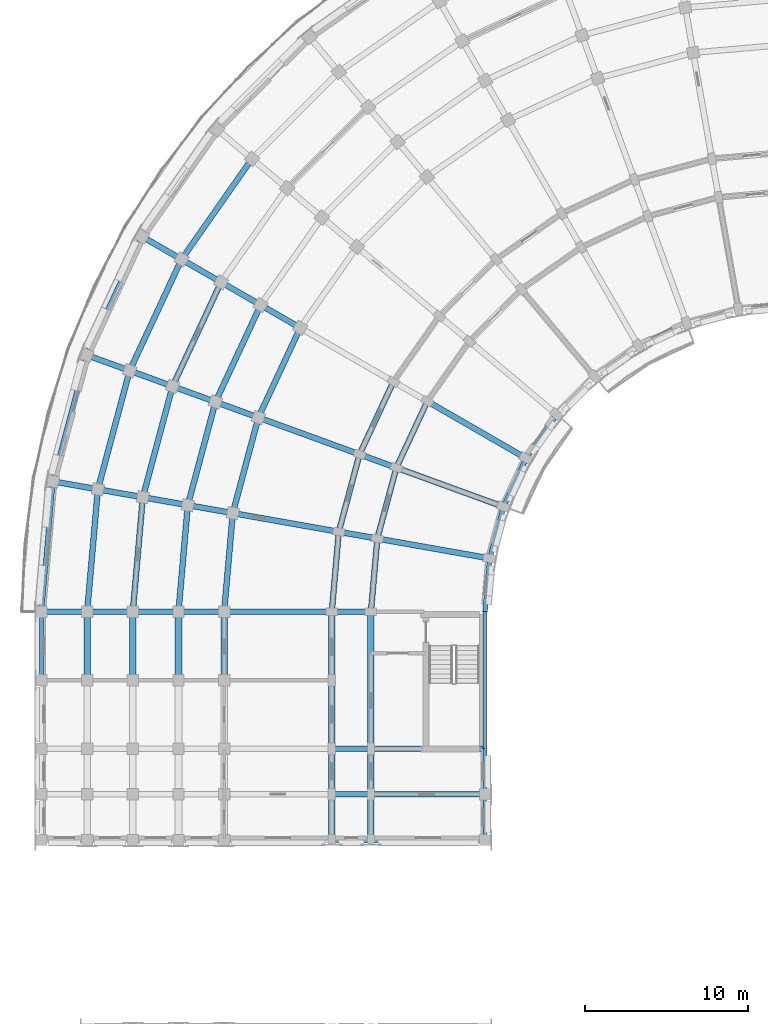
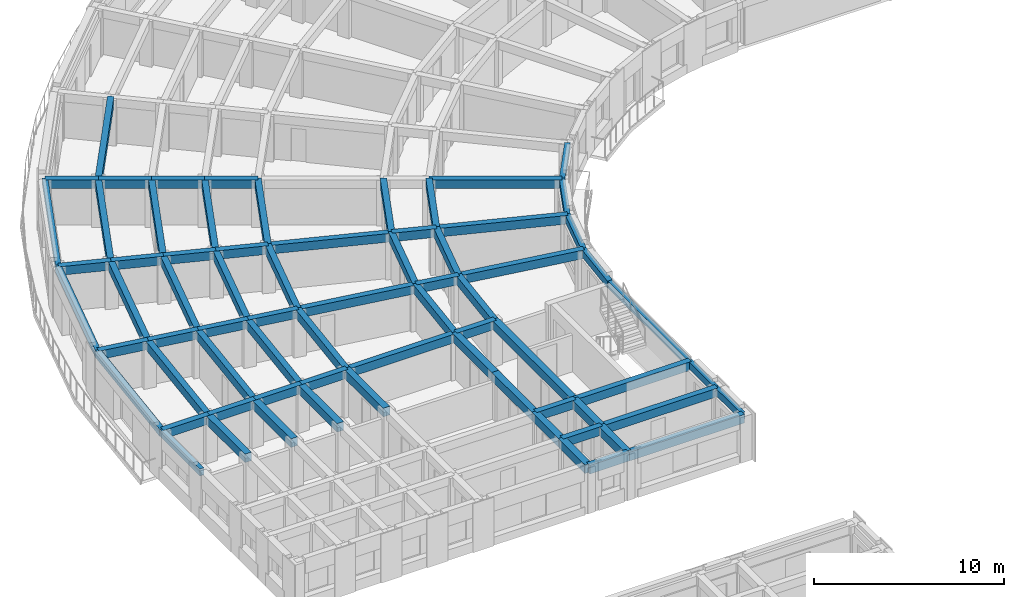
# One storey, part 8 of 57: 72 beams.
"""IFC4 building model written with IfcOpenShell, lengths in metres."""

from ifc_helpers import new_model, si_unit, direction, frame, origin, origin_2d, place, context, subcontext, project, spatial, rectangle, extrude, material, material_profile, profile_set, type_object, element, save


model = new_model("IFC4")

# Units and contexts
model_context = context("Model", 3, precision=1e-05, world=origin(), true_north=direction((0.0, 1.0)))
body_context = subcontext(model_context, "Body", "Model", "MODEL_VIEW")
ifc_project = project(units=[si_unit("LENGTHUNIT", "METRE"), si_unit("AREAUNIT", "SQUARE_METRE"), si_unit("VOLUMEUNIT", "CUBIC_METRE"), si_unit("PLANEANGLEUNIT", "RADIAN"), si_unit("MASSUNIT", "GRAM", prefix="KILO")], contexts=[model_context])

# Site, building, storey
site_placement = place(None, origin())
site = spatial("IfcSite", under=ifc_project, at=site_placement, CompositionType="ELEMENT")
building_placement = place(site_placement, origin())
building = spatial("IfcBuilding", under=site, at=building_placement, Name="Kiranvali Square Residences", CompositionType="ELEMENT")
storey_placement = place(building_placement, frame((0.0, 0.0, 21.300048828125)))
storey = spatial("IfcBuildingStorey", under=building, at=storey_placement, Name="L06", CompositionType="ELEMENT", Elevation=21.300048828125)

# Beams
ifc_material_1 = material(Name="Concrete M40 (40 MPa)", Category="concrete")
ifc_material_profile_1 = material_profile(ifc_material_1, rectangle(XDim=0.35009765625, YDim=0.550048828125, at=origin_2d()), Name="RC 350x550")
ifc_profile_set_1 = profile_set([ifc_material_profile_1], Name="Concrete M40 (40 MPa)")
beam_type_1 = type_object("IfcBeamType", Name="BM-M40-350x550", PredefinedType="BEAM", material=ifc_profile_set_1)
beam_1_placement = place(storey_placement, frame((15.10693359375, 115.568359375, 2.655029296875), z_axis=(-0.573588539275, -0.819143569597, 0.0), x_axis=(0.819143569597, -0.573588539275, 0.0)))
element("IfcBeam", 1, at=beam_1_placement, inside=storey, type_object=beam_type_1, Name="L06 beam BM-A-L06-C05-R6", PredefinedType="BEAM", context=body_context, shape_type="SweptSolid", body=[
    extrude(rectangle(XDim=0.35009765625, YDim=0.550048828125, at=origin_2d()), origin(), (0.0, 0.0, 1.0), 7.5302734375),
])
beam_2_placement = place(storey_placement, frame((25.8564453125, 100.699951171875, 2.655029296875), z_axis=(-0.422617978463, -0.906307919131, 0.0), x_axis=(0.906307919131, -0.422617978463, 0.0)))
element("IfcBeam", 2, at=beam_2_placement, inside=storey, type_object=beam_type_1, Name="L06 beam BM-A-L06-C06-R1", PredefinedType="BEAM", context=body_context, shape_type="SweptSolid", body=[
    extrude(rectangle(XDim=0.35009765625, YDim=0.550048828125, at=origin_2d()), origin(), (0.0, 0.0, 1.0), 4.497314453125),
])
beam_3_placement = place(storey_placement, frame((23.778076171875, 101.89990234375, 2.655029296875), z_axis=(-0.422629854778, -0.906302381024, 0.0), x_axis=(0.906302381024, -0.422629854778, 0.0)))
element("IfcBeam", 3, at=beam_3_placement, inside=storey, type_object=beam_type_1, Name="L06 beam BM-A-L06-C06-R2", PredefinedType="BEAM", context=body_context, shape_type="SweptSolid", body=[
    extrude(rectangle(XDim=0.35009765625, YDim=0.550048828125, at=origin_2d()), origin(), (0.0, 0.0, 1.0), 4.915283203125),
])
beam_4_placement = place(storey_placement, frame((18.062255859375, 105.199951171875, 2.655029296875), z_axis=(-0.42260781991, -0.906312656069, 0.0), x_axis=(0.906312656069, -0.42260781991, 0.0)))
element("IfcBeam", 4, at=beam_4_placement, inside=storey, type_object=beam_type_1, Name="L06 beam BM-A-L06-C06-R3", PredefinedType="BEAM", context=body_context, shape_type="SweptSolid", body=[
    extrude(rectangle(XDim=0.35009765625, YDim=0.550048828125, at=origin_2d()), origin(), (0.0, 0.0, 1.0), 6.06591796875),
])
beam_5_placement = place(storey_placement, frame((15.637451171875, 106.60009765625, 2.655029296875), z_axis=(-0.422595876255, -0.906318225223, 0.0), x_axis=(0.906318225223, -0.422595876255, 0.0)))
element("IfcBeam", 5, at=beam_5_placement, inside=storey, type_object=beam_type_1, Name="L06 beam BM-A-L06-C06-R4", PredefinedType="BEAM", context=body_context, shape_type="SweptSolid", body=[
    extrude(rectangle(XDim=0.35009765625, YDim=0.550048828125, at=origin_2d()), origin(), (0.0, 0.0, 1.0), 6.55419921875),
])
beam_6_placement = place(storey_placement, frame((13.212646484375, 108.0, 2.655029296875), z_axis=(-0.422640621205, -0.906297360311, 0.0), x_axis=(0.906297360311, -0.422640621205, 0.0)))
element("IfcBeam", 6, at=beam_6_placement, inside=storey, type_object=beam_type_1, Name="L06 beam BM-A-L06-C06-R5", PredefinedType="BEAM", context=body_context, shape_type="SweptSolid", body=[
    extrude(rectangle(XDim=0.35009765625, YDim=0.550048828125, at=origin_2d()), origin(), (0.0, 0.0, 1.0), 7.042236328125),
])
beam_7_placement = place(storey_placement, frame((10.78759765625, 109.39990234375, 2.655029296875), z_axis=(-0.422613886933, -0.90630982703, 0.0), x_axis=(0.90630982703, -0.422613886933, 0.0)))
element("IfcBeam", 7, at=beam_7_placement, inside=storey, type_object=beam_type_1, Name="L06 beam BM-A-L06-C06-R6", PredefinedType="BEAM", context=body_context, shape_type="SweptSolid", body=[
    extrude(rectangle(XDim=0.35009765625, YDim=0.550048828125, at=origin_2d()), origin(), (0.0, 0.0, 1.0), 7.5302734375),
])
beam_8_placement = place(storey_placement, frame((23.955810546875, 96.6240234375, 2.655029296875), z_axis=(-0.258787642463, -0.965934240054, 0.0), x_axis=(0.965934240054, -0.258787642463, 0.0)))
element("IfcBeam", 8, at=beam_8_placement, inside=storey, type_object=beam_type_1, Name="L06 beam BM-A-L06-C07-R1", PredefinedType="BEAM", context=body_context, shape_type="SweptSolid", body=[
    extrude(rectangle(XDim=0.35009765625, YDim=0.550048828125, at=origin_2d()), origin(), (0.0, 0.0, 1.0), 4.497314453125),
])
beam_9_placement = place(storey_placement, frame((21.70068359375, 97.445068359375, 2.655029296875), z_axis=(-0.258803112091, -0.965930095386, 0.0), x_axis=(0.965930095386, -0.258803112091, 0.0)))
element("IfcBeam", 9, at=beam_9_placement, inside=storey, type_object=beam_type_1, Name="L06 beam BM-A-L06-C07-R2", PredefinedType="BEAM", context=body_context, shape_type="SweptSolid", body=[
    extrude(rectangle(XDim=0.35009765625, YDim=0.550048828125, at=origin_2d()), origin(), (0.0, 0.0, 1.0), 4.915771484375),
])
beam_10_placement = place(storey_placement, frame((15.498779296875, 99.702392578125, 2.655029296875), z_axis=(-0.258827283048, -0.965923618901, 0.0), x_axis=(0.965923618901, -0.258827283048, 0.0)))
element("IfcBeam", 10, at=beam_10_placement, inside=storey, type_object=beam_type_1, Name="L06 beam BM-A-L06-C07-R3", PredefinedType="BEAM", context=body_context, shape_type="SweptSolid", body=[
    extrude(rectangle(XDim=0.35009765625, YDim=0.550048828125, at=origin_2d()), origin(), (0.0, 0.0, 1.0), 6.066162109375),
])
beam_11_placement = place(storey_placement, frame((12.86767578125, 100.659912109375, 2.655029296875), z_axis=(-0.258847178297, -0.965918287583, 0.0), x_axis=(0.965918287583, -0.258847178297, 0.0)))
element("IfcBeam", 11, at=beam_11_placement, inside=storey, type_object=beam_type_1, Name="L06 beam BM-A-L06-C07-R4", PredefinedType="BEAM", context=body_context, shape_type="SweptSolid", body=[
    extrude(rectangle(XDim=0.35009765625, YDim=0.550048828125, at=origin_2d()), origin(), (0.0, 0.0, 1.0), 6.55419921875),
])
beam_12_placement = place(storey_placement, frame((10.236328125, 101.61767578125, 2.655029296875), z_axis=(-0.258799624492, -0.965931029817, 0.0), x_axis=(0.965931029817, -0.258799624492, 0.0)))
element("IfcBeam", 12, at=beam_12_placement, inside=storey, type_object=beam_type_1, Name="L06 beam BM-A-L06-C07-R5", PredefinedType="BEAM", context=body_context, shape_type="SweptSolid", body=[
    extrude(rectangle(XDim=0.35009765625, YDim=0.550048828125, at=origin_2d()), origin(), (0.0, 0.0, 1.0), 7.042236328125),
])
beam_13_placement = place(storey_placement, frame((7.605224609375, 102.5751953125, 2.655029296875), z_axis=(-0.258818733833, -0.965925909693, 0.0), x_axis=(0.965925909693, -0.258818733833, 0.0)))
element("IfcBeam", 13, at=beam_13_placement, inside=storey, type_object=beam_type_1, Name="L06 beam BM-A-L06-C07-R6", PredefinedType="BEAM", context=body_context, shape_type="SweptSolid", body=[
    extrude(rectangle(XDim=0.35009765625, YDim=0.550048828125, at=origin_2d()), origin(), (0.0, 0.0, 1.0), 7.5302734375),
])
beam_14_placement = place(storey_placement, frame((22.7919921875, 92.280029296875, 2.655029296875), z_axis=(-0.087187153726, -0.996191949488, 0.0), x_axis=(0.996191949488, -0.087187153726, 0.0)))
element("IfcBeam", 14, at=beam_14_placement, inside=storey, type_object=beam_type_1, Name="L06 beam BM-A-L06-C08-R1", PredefinedType="BEAM", context=body_context, shape_type="SweptSolid", body=[
    extrude(rectangle(XDim=0.35009765625, YDim=0.550048828125, at=origin_2d()), origin(), (0.0, 0.0, 1.0), 4.4970703125),
])
beam_15_placement = place(storey_placement, frame((20.428466796875, 92.69677734375, 2.655029296875), z_axis=(-0.087167566415, -0.996193663584, 0.0), x_axis=(0.996193663584, -0.087167566415, 0.0)))
element("IfcBeam", 15, at=beam_15_placement, inside=storey, type_object=beam_type_1, Name="L06 beam BM-A-L06-C08-R2", PredefinedType="BEAM", context=body_context, shape_type="SweptSolid", body=[
    extrude(rectangle(XDim=0.35009765625, YDim=0.550048828125, at=origin_2d()), origin(), (0.0, 0.0, 1.0), 4.91552734375),
])
beam_16_placement = place(storey_placement, frame((13.9287109375, 93.843017578125, 2.655029296875), z_axis=(-0.087174938512, -0.996193018494, 0.0), x_axis=(0.996193018494, -0.087174938512, 0.0)))
element("IfcBeam", 16, at=beam_16_placement, inside=storey, type_object=beam_type_1, Name="L06 beam BM-A-L06-C08-R3", PredefinedType="BEAM", context=body_context, shape_type="SweptSolid", body=[
    extrude(rectangle(XDim=0.35009765625, YDim=0.550048828125, at=origin_2d()), origin(), (0.0, 0.0, 1.0), 6.066162109375),
])
beam_17_placement = place(storey_placement, frame((11.171142578125, 94.3291015625, 2.655029296875), z_axis=(-0.0871295204, -0.996196991902, 0.0), x_axis=(0.996196991902, -0.0871295204, 0.0)))
element("IfcBeam", 17, at=beam_17_placement, inside=storey, type_object=beam_type_1, Name="L06 beam BM-A-L06-C08-R4", PredefinedType="BEAM", context=body_context, shape_type="SweptSolid", body=[
    extrude(rectangle(XDim=0.35009765625, YDim=0.550048828125, at=origin_2d()), origin(), (0.0, 0.0, 1.0), 6.553955078125),
])
beam_18_placement = place(storey_placement, frame((8.413818359375, 94.8154296875, 2.655029296875), z_axis=(-0.087156198737, -0.996194658198, 0.0), x_axis=(0.996194658198, -0.087156198737, 0.0)))
element("IfcBeam", 18, at=beam_18_placement, inside=storey, type_object=beam_type_1, Name="L06 beam BM-A-L06-C08-R5", PredefinedType="BEAM", context=body_context, shape_type="SweptSolid", body=[
    extrude(rectangle(XDim=0.35009765625, YDim=0.550048828125, at=origin_2d()), origin(), (0.0, 0.0, 1.0), 7.042236328125),
])
beam_19_placement = place(storey_placement, frame((5.65625, 95.301513671875, 2.655029296875), z_axis=(-0.087150058103, -0.996195195417, 0.0), x_axis=(0.996195195417, -0.087150058103, 0.0)))
element("IfcBeam", 19, at=beam_19_placement, inside=storey, type_object=beam_type_1, Name="L06 beam BM-A-L06-C08-R6", PredefinedType="BEAM", context=body_context, shape_type="SweptSolid", body=[
    extrude(rectangle(XDim=0.35009765625, YDim=0.550048828125, at=origin_2d()), origin(), (0.0, 0.0, 1.0), 7.530029296875),
])
beam_20_placement = place(storey_placement, frame((31.918701171875, 97.199951171875, 2.655029296875), z_axis=(-0.866028190633, 0.499995173006, 0.0), x_axis=(-0.499995173006, -0.866028190633, 0.0)))
element("IfcBeam", 20, at=beam_20_placement, inside=storey, type_object=beam_type_1, Name="L06 beam BM-A-L06-RAD06-01", PredefinedType="BEAM", context=body_context, shape_type="SweptSolid", body=[
    extrude(rectangle(XDim=0.35009765625, YDim=0.550048828125, at=origin_2d()), origin(), (0.0, 0.0, 1.0), 7.0),
])
beam_21_placement = place(storey_placement, frame((18.062255859375, 105.199951171875, 2.655029296875), z_axis=(-0.865996816683, 0.500049511043, 0.0), x_axis=(-0.500049511043, -0.865996816683, 0.0)))
element("IfcBeam", 21, at=beam_21_placement, inside=storey, type_object=beam_type_1, Name="L06 beam BM-A-L06-RAD06-34", PredefinedType="BEAM", context=body_context, shape_type="SweptSolid", body=[
    extrude(rectangle(XDim=0.35009765625, YDim=0.550048828125, at=origin_2d()), origin(), (0.0, 0.0, 1.0), 2.800048828125),
])
beam_22_placement = place(storey_placement, frame((15.637451171875, 106.60009765625, 2.655029296875), z_axis=(-0.866034573852, 0.49998411664, 0.0), x_axis=(-0.49998411664, -0.866034573852, 0.0)))
element("IfcBeam", 22, at=beam_22_placement, inside=storey, type_object=beam_type_1, Name="L06 beam BM-A-L06-RAD06-45", PredefinedType="BEAM", context=body_context, shape_type="SweptSolid", body=[
    extrude(rectangle(XDim=0.35009765625, YDim=0.550048828125, at=origin_2d()), origin(), (0.0, 0.0, 1.0), 2.7998046875),
])
for number, where, z_axis, x_axis, name in (
    (23, (13.212646484375, 108.0, 2.655029296875), (-0.866056369097, 0.49994636267, 0.0), (-0.49994636267, -0.866056369097, 0.0), "L06 beam BM-A-L06-RAD06-56"),
    (24, (10.78759765625, 109.39990234375, 2.655029296875), (-0.865996816683, 0.500049511043, 0.0), (-0.500049511043, -0.865996816683, 0.0), "L06 beam BM-A-L06-RAD06-67"),
):
    element("IfcBeam", number, at=place(storey_placement, frame(where, z_axis=z_axis, x_axis=x_axis)), inside=storey, type_object=beam_type_1, Name=name, PredefinedType="BEAM", context=body_context, shape_type="SweptSolid", body=[
        extrude(rectangle(XDim=0.35009765625, YDim=0.550048828125, at=origin_2d()), origin(), (0.0, 0.0, 1.0), 2.800048828125),
    ])
beam_23_placement = place(storey_placement, frame((30.53369140625, 94.22998046875, 2.655029296875), z_axis=(-0.939697665127, 0.342006283793, 0.0), x_axis=(-0.342006283793, -0.939697665127, 0.0)))
element("IfcBeam", 25, at=beam_23_placement, inside=storey, type_object=beam_type_1, Name="L06 beam BM-A-L06-RAD07-01", PredefinedType="BEAM", context=body_context, shape_type="SweptSolid", body=[
    extrude(rectangle(XDim=0.35009765625, YDim=0.550048828125, at=origin_2d()), origin(), (0.0, 0.0, 1.0), 7.0),
])
beam_24_placement = place(storey_placement, frame((23.955810546875, 96.6240234375, 2.655029296875), z_axis=(-0.939659694648, 0.342110593602, 0.0), x_axis=(-0.342110593602, -0.939659694648, 0.0)))
element("IfcBeam", 26, at=beam_24_placement, inside=storey, type_object=beam_type_1, Name="L06 beam BM-A-L06-RAD07-12", PredefinedType="BEAM", context=body_context, shape_type="SweptSolid", body=[
    extrude(rectangle(XDim=0.35009765625, YDim=0.550048828125, at=origin_2d()), origin(), (0.0, 0.0, 1.0), 2.39990234375),
])
beam_25_placement = place(storey_placement, frame((21.70068359375, 97.445068359375, 2.655029296875), z_axis=(-0.939691858249, 0.342022238372, 0.0), x_axis=(-0.342022238372, -0.939691858249, 0.0)))
element("IfcBeam", 27, at=beam_25_placement, inside=storey, type_object=beam_type_1, Name="L06 beam BM-A-L06-RAD07-23", PredefinedType="BEAM", context=body_context, shape_type="SweptSolid", body=[
    extrude(rectangle(XDim=0.35009765625, YDim=0.550048828125, at=origin_2d()), origin(), (0.0, 0.0, 1.0), 6.599853515625),
])
beam_26_placement = place(storey_placement, frame((15.498779296875, 99.702392578125, 2.655029296875), z_axis=(-0.93970683422, 0.341981089711, 0.0), x_axis=(-0.341981089711, -0.93970683422, 0.0)))
element("IfcBeam", 28, at=beam_26_placement, inside=storey, type_object=beam_type_1, Name="L06 beam BM-A-L06-RAD07-34", PredefinedType="BEAM", context=body_context, shape_type="SweptSolid", body=[
    extrude(rectangle(XDim=0.35009765625, YDim=0.550048828125, at=origin_2d()), origin(), (0.0, 0.0, 1.0), 2.7998046875),
])
beam_27_placement = place(storey_placement, frame((12.86767578125, 100.659912109375, 2.655029296875), z_axis=(-0.939689011208, 0.342030060398, 0.0), x_axis=(-0.342030060398, -0.939689011208, 0.0)))
element("IfcBeam", 29, at=beam_27_placement, inside=storey, type_object=beam_type_1, Name="L06 beam BM-A-L06-RAD07-45", PredefinedType="BEAM", context=body_context, shape_type="SweptSolid", body=[
    extrude(rectangle(XDim=0.35009765625, YDim=0.550048828125, at=origin_2d()), origin(), (0.0, 0.0, 1.0), 2.80029296875),
])
beam_28_placement = place(storey_placement, frame((10.236328125, 101.61767578125, 2.655029296875), z_axis=(-0.93970683422, 0.341981089711, 0.0), x_axis=(-0.341981089711, -0.93970683422, 0.0)))
element("IfcBeam", 30, at=beam_28_placement, inside=storey, type_object=beam_type_1, Name="L06 beam BM-A-L06-RAD07-56", PredefinedType="BEAM", context=body_context, shape_type="SweptSolid", body=[
    extrude(rectangle(XDim=0.35009765625, YDim=0.550048828125, at=origin_2d()), origin(), (0.0, 0.0, 1.0), 2.7998046875),
])
beam_29_placement = place(storey_placement, frame((7.605224609375, 102.5751953125, 2.655029296875), z_axis=(-0.939678810556, 0.342058084236, 0.0), x_axis=(-0.342058084236, -0.939678810556, 0.0)))
element("IfcBeam", 31, at=beam_29_placement, inside=storey, type_object=beam_type_1, Name="L06 beam BM-A-L06-RAD07-67", PredefinedType="BEAM", context=body_context, shape_type="SweptSolid", body=[
    extrude(rectangle(XDim=0.35009765625, YDim=0.550048828125, at=origin_2d()), origin(), (0.0, 0.0, 1.0), 2.800048828125),
])
beam_30_placement = place(storey_placement, frame((29.685546875, 91.064697265625, 2.655029296875), z_axis=(-0.984812337125, 0.173622177865, 0.0), x_axis=(-0.173622177865, -0.984812337125, 0.0)))
element("IfcBeam", 32, at=beam_30_placement, inside=storey, type_object=beam_type_1, Name="L06 beam BM-A-L06-RAD08-01", PredefinedType="BEAM", context=body_context, shape_type="SweptSolid", body=[
    extrude(rectangle(XDim=0.35009765625, YDim=0.550048828125, at=origin_2d()), origin(), (0.0, 0.0, 1.0), 6.999755859375),
])
beam_31_placement = place(storey_placement, frame((22.7919921875, 92.280029296875, 2.655029296875), z_axis=(-0.984808127031, 0.173646056486, 0.0), x_axis=(-0.173646056486, -0.984808127031, 0.0)))
element("IfcBeam", 33, at=beam_31_placement, inside=storey, type_object=beam_type_1, Name="L06 beam BM-A-L06-RAD08-12", PredefinedType="BEAM", context=body_context, shape_type="SweptSolid", body=[
    extrude(rectangle(XDim=0.35009765625, YDim=0.550048828125, at=origin_2d()), origin(), (0.0, 0.0, 1.0), 2.39990234375),
])
beam_32_placement = place(storey_placement, frame((20.428466796875, 92.69677734375, 2.655029296875), z_axis=(-0.984803661269, 0.173671381499, 0.0), x_axis=(-0.173671381499, -0.984803661269, 0.0)))
element("IfcBeam", 34, at=beam_32_placement, inside=storey, type_object=beam_type_1, Name="L06 beam BM-A-L06-RAD08-23", PredefinedType="BEAM", context=body_context, shape_type="SweptSolid", body=[
    extrude(rectangle(XDim=0.35009765625, YDim=0.550048828125, at=origin_2d()), origin(), (0.0, 0.0, 1.0), 6.60009765625),
])
beam_33_placement = place(storey_placement, frame((13.9287109375, 93.843017578125, 2.655029296875), z_axis=(-0.984816895441, 0.173596320392, 0.0), x_axis=(-0.173596320392, -0.984816895441, 0.0)))
element("IfcBeam", 35, at=beam_33_placement, inside=storey, type_object=beam_type_1, Name="L06 beam BM-A-L06-RAD08-34", PredefinedType="BEAM", context=body_context, shape_type="SweptSolid", body=[
    extrude(rectangle(XDim=0.35009765625, YDim=0.550048828125, at=origin_2d()), origin(), (0.0, 0.0, 1.0), 2.800048828125),
])
beam_34_placement = place(storey_placement, frame((11.171142578125, 94.3291015625, 2.655029296875), z_axis=(-0.984799355489, 0.173695795656, 0.0), x_axis=(-0.173695795656, -0.984799355489, 0.0)))
element("IfcBeam", 36, at=beam_34_placement, inside=storey, type_object=beam_type_1, Name="L06 beam BM-A-L06-RAD08-45", PredefinedType="BEAM", context=body_context, shape_type="SweptSolid", body=[
    extrude(rectangle(XDim=0.35009765625, YDim=0.550048828125, at=origin_2d()), origin(), (0.0, 0.0, 1.0), 2.7998046875),
])
beam_35_placement = place(storey_placement, frame((8.413818359375, 94.8154296875, 2.655029296875), z_axis=(-0.984816895441, 0.173596320392, 0.0), x_axis=(-0.173596320392, -0.984816895441, 0.0)))
element("IfcBeam", 37, at=beam_35_placement, inside=storey, type_object=beam_type_1, Name="L06 beam BM-A-L06-RAD08-56", PredefinedType="BEAM", context=body_context, shape_type="SweptSolid", body=[
    extrude(rectangle(XDim=0.35009765625, YDim=0.550048828125, at=origin_2d()), origin(), (0.0, 0.0, 1.0), 2.800048828125),
])
beam_36_placement = place(storey_placement, frame((5.65625, 95.301513671875, 2.655029296875), z_axis=(-0.984799355489, 0.173695795656, 0.0), x_axis=(-0.173695795656, -0.984799355489, 0.0)))
element("IfcBeam", 38, at=beam_36_placement, inside=storey, type_object=beam_type_1, Name="L06 beam BM-A-L06-RAD08-67", PredefinedType="BEAM", context=body_context, shape_type="SweptSolid", body=[
    extrude(rectangle(XDim=0.35009765625, YDim=0.550048828125, at=origin_2d()), origin(), (0.0, 0.0, 1.0), 2.7998046875),
])
beam_37_placement = place(storey_placement, frame((22.39990234375, 87.800048828125, 2.655029296875), z_axis=(-1.0, 0.0, 0.0), x_axis=(0.0, -1.0, 0.0)))
element("IfcBeam", 39, at=beam_37_placement, inside=storey, type_object=beam_type_1, Name="L06 beam BM-A-L06-A2T0-12", PredefinedType="BEAM", context=body_context, shape_type="SweptSolid", body=[
    extrude(rectangle(XDim=0.35009765625, YDim=0.550048828125, at=origin_2d()), origin(), (0.0, 0.0, 1.0), 2.39990234375),
])
beam_38_placement = place(storey_placement, frame((20.0, 87.800048828125, 2.655029296875), z_axis=(-1.0, 0.0, 0.0), x_axis=(0.0, -1.0, 0.0)))
element("IfcBeam", 40, at=beam_38_placement, inside=storey, type_object=beam_type_1, Name="L06 beam BM-A-L06-A2T0-23", PredefinedType="BEAM", context=body_context, shape_type="SweptSolid", body=[
    extrude(rectangle(XDim=0.35009765625, YDim=0.550048828125, at=origin_2d()), origin(), (0.0, 0.0, 1.0), 6.60009765625),
])
beam_39_placement = place(storey_placement, frame((13.39990234375, 87.800048828125, 2.655029296875), z_axis=(-1.0, 0.0, 0.0), x_axis=(0.0, -1.0, 0.0)))
element("IfcBeam", 41, at=beam_39_placement, inside=storey, type_object=beam_type_1, Name="L06 beam BM-A-L06-A2T0-34", PredefinedType="BEAM", context=body_context, shape_type="SweptSolid", body=[
    extrude(rectangle(XDim=0.35009765625, YDim=0.550048828125, at=origin_2d()), origin(), (0.0, 0.0, 1.0), 2.7998046875),
])
for number, where, z_axis, x_axis, name in (
    (42, (10.60009765625, 87.800048828125, 2.655029296875), (-1.0, 0.0, 0.0), (0.0, -1.0, 0.0), "L06 beam BM-A-L06-A2T0-45"),
    (43, (7.800048828125, 87.800048828125, 2.655029296875), (-1.0, 0.0, 0.0), (0.0, -1.0, 0.0), "L06 beam BM-A-L06-A2T0-56"),
    (44, (5.0, 87.800048828125, 2.655029296875), (-1.0, 0.0, 0.0), (0.0, -1.0, 0.0), "L06 beam BM-A-L06-A2T0-67"),
):
    element("IfcBeam", number, at=place(storey_placement, frame(where, z_axis=z_axis, x_axis=x_axis)), inside=storey, type_object=beam_type_1, Name=name, PredefinedType="BEAM", context=body_context, shape_type="SweptSolid", body=[
        extrude(rectangle(XDim=0.35009765625, YDim=0.550048828125, at=origin_2d()), origin(), (0.0, 0.0, 1.0), 2.800048828125),
    ])
beam_40_placement = place(storey_placement, frame((29.39990234375, 79.39990234375, 2.655029296875), z_axis=(-1.0, 0.0, 0.0), x_axis=(0.0, -1.0, 0.0)))
element("IfcBeam", 45, at=beam_40_placement, inside=storey, type_object=beam_type_1, Name="L06 beam BM-A-L06-A2T1-01", PredefinedType="BEAM", context=body_context, shape_type="SweptSolid", body=[
    extrude(rectangle(XDim=0.35009765625, YDim=0.550048828125, at=origin_2d()), origin(), (0.0, 0.0, 1.0), 7.0),
])
beam_41_placement = place(storey_placement, frame((22.39990234375, 79.39990234375, 2.655029296875), z_axis=(-1.0, 0.0, 0.0), x_axis=(0.0, -1.0, 0.0)))
element("IfcBeam", 46, at=beam_41_placement, inside=storey, type_object=beam_type_1, Name="L06 beam BM-A-L06-A2T1-12", PredefinedType="BEAM", context=body_context, shape_type="SweptSolid", body=[
    extrude(rectangle(XDim=0.35009765625, YDim=0.550048828125, at=origin_2d()), origin(), (0.0, 0.0, 1.0), 2.39990234375),
])
beam_42_placement = place(storey_placement, frame((29.39990234375, 76.60009765625, 2.655029296875), z_axis=(-1.0, 0.0, 0.0), x_axis=(0.0, -1.0, 0.0)))
element("IfcBeam", 47, at=beam_42_placement, inside=storey, type_object=beam_type_1, Name="L06 beam BM-A-L06-A2T2-01", PredefinedType="BEAM", context=body_context, shape_type="SweptSolid", body=[
    extrude(rectangle(XDim=0.35009765625, YDim=0.550048828125, at=origin_2d()), origin(), (0.0, 0.0, 1.0), 7.0),
])
beam_43_placement = place(storey_placement, frame((22.39990234375, 76.60009765625, 2.655029296875), z_axis=(-1.0, 0.0, 0.0), x_axis=(0.0, -1.0, 0.0)))
element("IfcBeam", 48, at=beam_43_placement, inside=storey, type_object=beam_type_1, Name="L06 beam BM-A-L06-A2T2-12", PredefinedType="BEAM", context=body_context, shape_type="SweptSolid", body=[
    extrude(rectangle(XDim=0.35009765625, YDim=0.550048828125, at=origin_2d()), origin(), (0.0, 0.0, 1.0), 2.39990234375),
])
beam_44_placement = place(storey_placement, frame((29.39990234375, 73.800048828125, 2.655029296875), z_axis=(-1.0, 0.0, 0.0), x_axis=(0.0, -1.0, 0.0)))
element("IfcBeam", 49, at=beam_44_placement, inside=storey, type_object=beam_type_1, Name="L06 beam BM-A-L06-A2T3-01", PredefinedType="BEAM", context=body_context, shape_type="SweptSolid", body=[
    extrude(rectangle(XDim=0.35009765625, YDim=0.550048828125, at=origin_2d()), origin(), (0.0, 0.0, 1.0), 7.0),
])
beam_45_placement = place(storey_placement, frame((22.39990234375, 73.800048828125, 2.655029296875), z_axis=(-1.0, 0.0, 0.0), x_axis=(0.0, -1.0, 0.0)))
element("IfcBeam", 50, at=beam_45_placement, inside=storey, type_object=beam_type_1, Name="L06 beam BM-A-L06-A2T3-12", PredefinedType="BEAM", context=body_context, shape_type="SweptSolid", body=[
    extrude(rectangle(XDim=0.35009765625, YDim=0.550048828125, at=origin_2d()), origin(), (0.0, 0.0, 1.0), 2.39990234375),
])
ifc_material_2 = material(Name="Concrete M45 (45 MPa)", Category="concrete")
ifc_material_profile_2 = material_profile(ifc_material_2, rectangle(XDim=0.39990234375, YDim=0.550048828125, at=origin_2d()), Name="RC 400x550")
ifc_profile_set_2 = profile_set([ifc_material_profile_2], Name="Concrete M45 (45 MPa)")
beam_type_2 = type_object("IfcBeamType", Name="BM-M45-400x550", PredefinedType="BEAM", material=ifc_profile_set_2)
beam_46_placement = place(storey_placement, frame((22.39990234375, 87.800048828125, 2.655029296875), z_axis=(0.0, -1.0, 0.0), x_axis=(1.0, 0.0, 0.0)))
element("IfcBeam", 51, at=beam_46_placement, inside=storey, type_object=beam_type_2, Name="L06 beam BM-A-L06-A2V0-R1", PredefinedType="BEAM", context=body_context, shape_type="SweptSolid", body=[
    extrude(rectangle(XDim=0.39990234375, YDim=0.550048828125, at=origin_2d()), origin(), (0.0, 0.0, 1.0), 8.400146484375),
])
beam_47_placement = place(storey_placement, frame((22.39990234375, 79.39990234375, 2.655029296875), z_axis=(0.0, -1.0, 0.0), x_axis=(1.0, 0.0, 0.0)))
element("IfcBeam", 52, at=beam_47_placement, inside=storey, type_object=beam_type_2, Name="L06 beam BM-A-L06-A2V1-R1", PredefinedType="BEAM", context=body_context, shape_type="SweptSolid", body=[
    extrude(rectangle(XDim=0.39990234375, YDim=0.550048828125, at=origin_2d()), origin(), (0.0, 0.0, 1.0), 2.7998046875),
])
beam_48_placement = place(storey_placement, frame((22.39990234375, 76.60009765625, 2.655029296875), z_axis=(0.0, -1.0, 0.0), x_axis=(1.0, 0.0, 0.0)))
element("IfcBeam", 53, at=beam_48_placement, inside=storey, type_object=beam_type_2, Name="L06 beam BM-A-L06-A2V2-R1", PredefinedType="BEAM", context=body_context, shape_type="SweptSolid", body=[
    extrude(rectangle(XDim=0.39990234375, YDim=0.550048828125, at=origin_2d()), origin(), (0.0, 0.0, 1.0), 2.800048828125),
])
beam_49_placement = place(storey_placement, frame((20.0, 87.800048828125, 2.655029296875), z_axis=(0.0, -1.0, 0.0), x_axis=(1.0, 0.0, 0.0)))
element("IfcBeam", 54, at=beam_49_placement, inside=storey, type_object=beam_type_2, Name="L06 beam BM-A-L06-A2V0-R2", PredefinedType="BEAM", context=body_context, shape_type="SweptSolid", body=[
    extrude(rectangle(XDim=0.39990234375, YDim=0.550048828125, at=origin_2d()), origin(), (0.0, 0.0, 1.0), 4.199951171875),
])
beam_50_placement = place(storey_placement, frame((20.0, 83.60009765625, 2.655029296875), z_axis=(0.0, -1.0, 0.0), x_axis=(1.0, 0.0, 0.0)))
element("IfcBeam", 55, at=beam_50_placement, inside=storey, type_object=beam_type_2, Name="L06 beam BM-A-L06-A2V1-R2", PredefinedType="BEAM", context=body_context, shape_type="SweptSolid", body=[
    extrude(rectangle(XDim=0.39990234375, YDim=0.550048828125, at=origin_2d()), origin(), (0.0, 0.0, 1.0), 4.2001953125),
])
beam_51_placement = place(storey_placement, frame((20.0, 79.39990234375, 2.655029296875), z_axis=(0.0, -1.0, 0.0), x_axis=(1.0, 0.0, 0.0)))
element("IfcBeam", 56, at=beam_51_placement, inside=storey, type_object=beam_type_2, Name="L06 beam BM-A-L06-A2V2-R2", PredefinedType="BEAM", context=body_context, shape_type="SweptSolid", body=[
    extrude(rectangle(XDim=0.39990234375, YDim=0.550048828125, at=origin_2d()), origin(), (0.0, 0.0, 1.0), 2.7998046875),
])
beam_52_placement = place(storey_placement, frame((20.0, 76.60009765625, 2.655029296875), z_axis=(0.0, -1.0, 0.0), x_axis=(1.0, 0.0, 0.0)))
element("IfcBeam", 57, at=beam_52_placement, inside=storey, type_object=beam_type_2, Name="L06 beam BM-A-L06-A2V3-R2", PredefinedType="BEAM", context=body_context, shape_type="SweptSolid", body=[
    extrude(rectangle(XDim=0.39990234375, YDim=0.550048828125, at=origin_2d()), origin(), (0.0, 0.0, 1.0), 2.800048828125),
])
for number, where, z_axis, x_axis, name in (
    (58, (13.39990234375, 87.800048828125, 2.655029296875), (0.0, -1.0, 0.0), (1.0, 0.0, 0.0), "L06 beam BM-A-L06-A2V0-R3"),
    (59, (10.60009765625, 87.800048828125, 2.655029296875), (0.0, -1.0, 0.0), (1.0, 0.0, 0.0), "L06 beam BM-A-L06-A2V0-R4"),
    (60, (7.800048828125, 87.800048828125, 2.655029296875), (0.0, -1.0, 0.0), (1.0, 0.0, 0.0), "L06 beam BM-A-L06-A2V0-R5"),
    (61, (5.0, 87.800048828125, 2.655029296875), (0.0, -1.0, 0.0), (1.0, 0.0, 0.0), "L06 beam BM-A-L06-A2V0-R6"),
):
    element("IfcBeam", number, at=place(storey_placement, frame(where, z_axis=z_axis, x_axis=x_axis)), inside=storey, type_object=beam_type_2, Name=name, PredefinedType="BEAM", context=body_context, shape_type="SweptSolid", body=[
        extrude(rectangle(XDim=0.39990234375, YDim=0.550048828125, at=origin_2d()), origin(), (0.0, 0.0, 1.0), 4.199951171875),
    ])
ifc_material_profile_3 = material_profile(ifc_material_1, rectangle(XDim=0.25, YDim=0.449951171875, at=origin_2d()), Name="RC 250x450")
ifc_profile_set_3 = profile_set([ifc_material_profile_3], Name="Concrete M40 (40 MPa)")
beam_type_3 = type_object("IfcBeamType", Name="SPN-M40-250x450", PredefinedType="SPANDREL", material=ifc_profile_set_3)
beam_53_placement = place(storey_placement, frame((29.39990234375, 87.800048828125, 2.704833984375), z_axis=(0.0, -1.0, 0.0), x_axis=(1.0, 0.0, 0.0)))
element("IfcBeam", 62, at=beam_53_placement, inside=storey, type_object=beam_type_3, Name="L06 beam BM-A-L06-A2V0-R0", PredefinedType="SPANDREL", context=body_context, shape_type="SweptSolid", body=[
    extrude(rectangle(XDim=0.25, YDim=0.449951171875, at=origin_2d()), origin(), (0.0, 0.0, 1.0), 8.400146484375),
])
beam_54_placement = place(storey_placement, frame((29.39990234375, 79.39990234375, 2.704833984375), z_axis=(0.0, -1.0, 0.0), x_axis=(1.0, 0.0, 0.0)))
element("IfcBeam", 63, at=beam_54_placement, inside=storey, type_object=beam_type_3, Name="L06 beam BM-A-L06-A2V1-R0", PredefinedType="SPANDREL", context=body_context, shape_type="SweptSolid", body=[
    extrude(rectangle(XDim=0.25, YDim=0.449951171875, at=origin_2d()), origin(), (0.0, 0.0, 1.0), 2.7998046875),
])
beam_55_placement = place(storey_placement, frame((29.39990234375, 76.60009765625, 2.704833984375), z_axis=(0.0, -1.0, 0.0), x_axis=(1.0, 0.0, 0.0)))
element("IfcBeam", 64, at=beam_55_placement, inside=storey, type_object=beam_type_3, Name="L06 beam BM-A-L06-A2V2-R0", PredefinedType="SPANDREL", context=body_context, shape_type="SweptSolid", body=[
    extrude(rectangle(XDim=0.25, YDim=0.449951171875, at=origin_2d()), origin(), (0.0, 0.0, 1.0), 2.800048828125),
])
beam_56_placement = place(storey_placement, frame((2.199951171875, 87.800048828125, 2.704833984375), z_axis=(0.0, -1.0, 0.0), x_axis=(1.0, 0.0, 0.0)))
element("IfcBeam", 65, at=beam_56_placement, inside=storey, type_object=beam_type_3, Name="L06 beam BM-A-L06-A2V0-R7", PredefinedType="SPANDREL", context=body_context, shape_type="SweptSolid", body=[
    extrude(rectangle(XDim=0.25, YDim=0.449951171875, at=origin_2d()), origin(), (0.0, 0.0, 1.0), 4.199951171875),
])
ifc_material_profile_4 = material_profile(ifc_material_1, rectangle(XDim=0.300048828125, YDim=0.449951171875, at=origin_2d()), Name="RC 300x450")
ifc_profile_set_4 = profile_set([ifc_material_profile_4], Name="Concrete M40 (40 MPa)")
beam_type_4 = type_object("IfcBeamType", Name="SPN-M40-300x450", PredefinedType="SPANDREL", material=ifc_profile_set_4)
for number, where, z_axis, x_axis, name in (
    (66, (33.79833984375, 99.884521484375, 2.704833984375), (-0.573552337269, -0.81916891812, 0.0), (0.81916891812, -0.573552337269, 0.0), "L06 beam BM-A-L06-C05-R0"),
    (67, (31.918701171875, 97.199951171875, 2.704833984375), (-0.422640740585, -0.90629730464, 0.0), (0.90629730464, -0.422640740585, 0.0), "L06 beam BM-A-L06-C06-R0"),
):
    element("IfcBeam", number, at=place(storey_placement, frame(where, z_axis=z_axis, x_axis=x_axis)), inside=storey, type_object=beam_type_4, Name=name, PredefinedType="SPANDREL", context=body_context, shape_type="SweptSolid", body=[
        extrude(rectangle(XDim=0.300048828125, YDim=0.449951171875, at=origin_2d()), origin(), (0.0, 0.0, 1.0), 3.277099609375),
    ])
beam_57_placement = place(storey_placement, frame((8.36279296875, 110.800048828125, 2.704833984375), z_axis=(-0.422615416827, -0.906309113636, 0.0), x_axis=(0.906309113636, -0.422615416827, 0.0)))
element("IfcBeam", 68, at=beam_57_placement, inside=storey, type_object=beam_type_4, Name="L06 beam BM-A-L06-C06-R7", PredefinedType="SPANDREL", context=body_context, shape_type="SweptSolid", body=[
    extrude(rectangle(XDim=0.300048828125, YDim=0.449951171875, at=origin_2d()), origin(), (0.0, 0.0, 1.0), 8.018310546875),
])
beam_58_placement = place(storey_placement, frame((30.53369140625, 94.22998046875, 2.704833984375), z_axis=(-0.258821736607, -0.965925105099, 0.0), x_axis=(0.965925105099, -0.258821736607, 0.0)))
element("IfcBeam", 69, at=beam_58_placement, inside=storey, type_object=beam_type_4, Name="L06 beam BM-A-L06-C07-R0", PredefinedType="SPANDREL", context=body_context, shape_type="SweptSolid", body=[
    extrude(rectangle(XDim=0.300048828125, YDim=0.449951171875, at=origin_2d()), origin(), (0.0, 0.0, 1.0), 3.27685546875),
])
beam_59_placement = place(storey_placement, frame((4.97412109375, 103.532958984375, 2.704833984375), z_axis=(-0.258807108475, -0.96592902462, 0.0), x_axis=(0.96592902462, -0.258807108475, 0.0)))
element("IfcBeam", 70, at=beam_59_placement, inside=storey, type_object=beam_type_4, Name="L06 beam BM-A-L06-C07-R7", PredefinedType="SPANDREL", context=body_context, shape_type="SweptSolid", body=[
    extrude(rectangle(XDim=0.300048828125, YDim=0.449951171875, at=origin_2d()), origin(), (0.0, 0.0, 1.0), 8.018310546875),
])
beam_60_placement = place(storey_placement, frame((29.685546875, 91.064697265625, 2.704833984375), z_axis=(-0.087163253657, -0.996194040944, 0.0), x_axis=(0.996194040944, -0.087163253657, 0.0)))
element("IfcBeam", 71, at=beam_60_placement, inside=storey, type_object=beam_type_4, Name="L06 beam BM-A-L06-C08-R0", PredefinedType="SPANDREL", context=body_context, shape_type="SweptSolid", body=[
    extrude(rectangle(XDim=0.300048828125, YDim=0.449951171875, at=origin_2d()), origin(), (0.0, 0.0, 1.0), 3.277099609375),
])
beam_61_placement = place(storey_placement, frame((2.89892578125, 95.787841796875, 2.704833984375), z_axis=(-0.087172238171, -0.996193254792, 0.0), x_axis=(0.996193254792, -0.087172238171, 0.0)))
element("IfcBeam", 72, at=beam_61_placement, inside=storey, type_object=beam_type_4, Name="L06 beam BM-A-L06-C08-R7", PredefinedType="SPANDREL", context=body_context, shape_type="SweptSolid", body=[
    extrude(rectangle(XDim=0.300048828125, YDim=0.449951171875, at=origin_2d()), origin(), (0.0, 0.0, 1.0), 8.018310546875),
])

save(model, "model.ifc")
